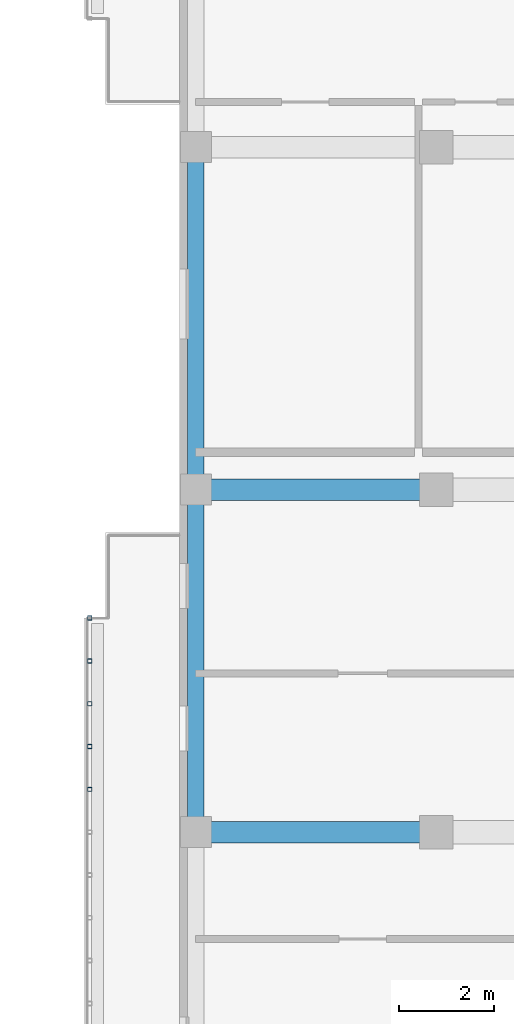
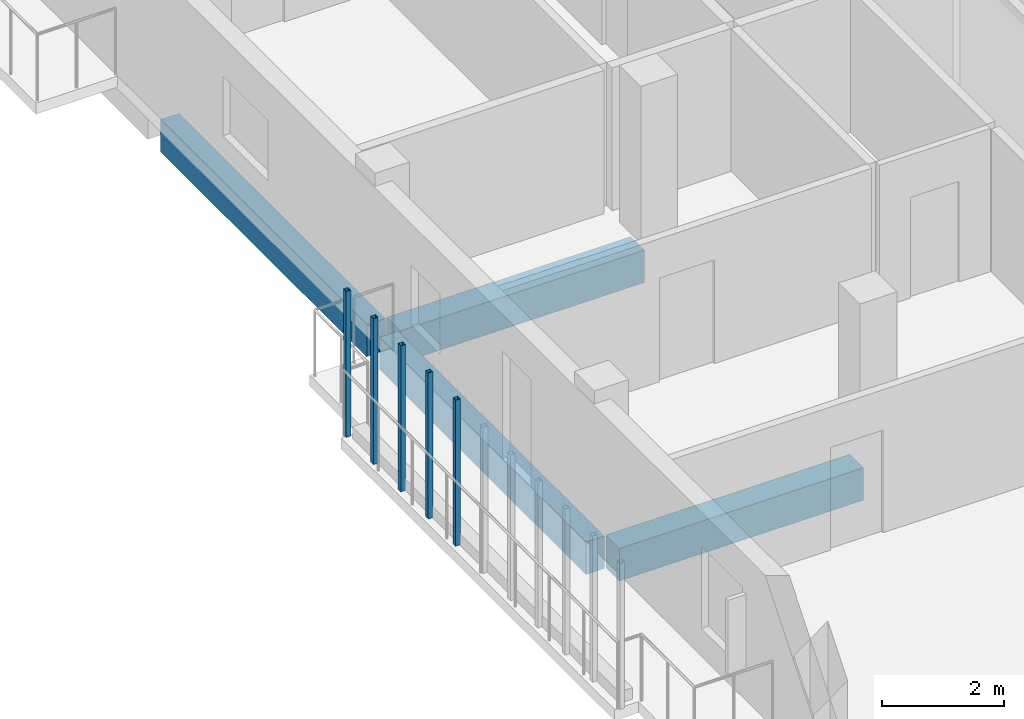
# One storey, part 17 of 51: 5 members, 4 beams.
"""IFC4 building model written with IfcOpenShell, lengths in metres."""

from ifc_helpers import new_model, si_unit, derived_unit, direction, frame, origin, origin_2d, place, context, subcontext, project, spatial, rectangle, hollow_rectangle, extrude, material, material_profile, profile_set, type_object, element, save


model = new_model("IFC4")

# Units and contexts
model_context = context("Model", 3, precision=1e-05, world=origin(), true_north=direction((0.0, 1.0)))
body_context = subcontext(model_context, "Body", "Model", "MODEL_VIEW")
ifc_project = project(units=[si_unit("LENGTHUNIT", "METRE"), si_unit("AREAUNIT", "SQUARE_METRE"), si_unit("VOLUMEUNIT", "CUBIC_METRE"), si_unit("PLANEANGLEUNIT", "RADIAN"), si_unit("MASSUNIT", "GRAM", prefix="KILO"), derived_unit("THERMALTRANSMITTANCEUNIT", [(si_unit("MASSUNIT", "GRAM", prefix="KILO"), 1), (si_unit("TIMEUNIT", "SECOND"), -3), (si_unit("THERMODYNAMICTEMPERATUREUNIT", "KELVIN"), -1)])], contexts=[model_context])

# Site, building, storey
site_placement = place(None, origin())
site = spatial("IfcSite", under=ifc_project, at=site_placement, CompositionType="ELEMENT")
building_placement = place(site_placement, origin())
building = spatial("IfcBuilding", under=site, at=building_placement, Name="Ochrekiln Boulevard Commons", CompositionType="ELEMENT")
storey_placement = place(building_placement, frame((0.0, 0.0, 15.22509765625)))
storey = spatial("IfcBuildingStorey", under=building, at=storey_placement, Name="L04", CompositionType="ELEMENT", Elevation=15.22509765625)

# Beams
ifc_material_1 = material(Name="Concrete C35/45", Category="concrete")
ifc_material_profile_1 = material_profile(ifc_material_1, rectangle(XDim=0.449951171875, YDim=0.64990234375, at=origin_2d()), Name="RC-BM-450x650")
ifc_profile_set_1 = profile_set([ifc_material_profile_1], Name="Concrete C35/45")
beam_type_1 = type_object("IfcBeamType", Name="BM-RC-450x650", PredefinedType="BEAM", material=ifc_profile_set_1)
for number, where, z_axis, x_axis, name in (
    (1, (151.760009765625, 82.800048828125, -0.585205078125), (1.0, 0.0, 0.0), (0.0, 1.0, 0.0), "Block B L04 Beam B-4565 X6"),
    (2, (151.760009765625, 90.0, -0.585205078125), (1.0, 0.0, 0.0), (0.0, 1.0, 0.0), "Block B L04 Beam B-4565 X9"),
):
    element("IfcBeam", number, at=place(storey_placement, frame(where, z_axis=z_axis, x_axis=x_axis)), inside=storey, type_object=beam_type_1, Name=name, PredefinedType="BEAM", context=body_context, shape_type="SweptSolid", body=[
        extrude(rectangle(XDim=0.449951171875, YDim=0.64990234375, at=origin_2d()), origin(), (0.0, 0.0, 1.0), 4.6298828125),
    ])

# Members
ifc_material_2 = material(Name="Steel A500 Grade C", Category="steel")
ifc_material_profile_2 = material_profile(ifc_material_2, hollow_rectangle(XDim=0.090087890625, YDim=0.090087890625, WallThickness=0.00634765625, at=origin_2d()), Name="HSS90X90X6.4")
ifc_profile_set_2 = profile_set([ifc_material_profile_2], Name="Steel A500 Grade C")
member_type = type_object("IfcMemberType", Name="MEM-PST-HSS90", PredefinedType="POST", material=ifc_profile_set_2)
for number, where, z_axis, x_axis, name in (
    (3, (149.320068359375, 83.699951171875, 0.0), (0.0, 0.0, 1.0), (1.0, 0.0, 0.0), "Block B L04 Slim Vertical Balcony Post (227)"),
    (4, (149.320068359375, 84.60009765625, 0.0), (0.0, 0.0, 1.0), (1.0, 0.0, 0.0), "Block B L04 Slim Vertical Balcony Post (228)"),
    (5, (149.320068359375, 85.5, 0.0), (0.0, 0.0, 1.0), (1.0, 0.0, 0.0), "Block B L04 Slim Vertical Balcony Post (229)"),
    (6, (149.320068359375, 86.39990234375, 0.0), (0.0, 0.0, 1.0), (1.0, 0.0, 0.0), "Block B L04 Slim Vertical Balcony Post (230)"),
    (7, (149.320068359375, 87.300048828125, 0.0), (0.0, 0.0, 1.0), (1.0, 0.0, 0.0), "Block B L04 Slim Vertical Balcony Post (231)"),
):
    element("IfcMember", number, at=place(storey_placement, frame(where, z_axis=z_axis, x_axis=x_axis)), inside=storey, type_object=member_type, Name=name, PredefinedType="POST", context=body_context, shape_type="SweptSolid", body=[
        extrude(hollow_rectangle(XDim=0.090087890625, YDim=0.090087890625, WallThickness=0.00634765625, at=origin_2d()), origin(), (0.0, 0.0, 1.0), 2.929931640625),
    ])

# Beams
ifc_material_3 = material(Name="Concrete C40/50", Category="concrete")
ifc_material_profile_3 = material_profile(ifc_material_3, rectangle(XDim=0.35009765625, YDim=0.64990234375, at=origin_2d()), Name="RC-SPN-350x650")
ifc_profile_set_3 = profile_set([ifc_material_profile_3], Name="Concrete C40/50")
beam_type_2 = type_object("IfcBeamType", Name="SPN-RC-350x650", PredefinedType="SPANDREL", material=ifc_profile_set_3)
for number, where, z_axis, x_axis, name in (
    (8, (151.550048828125, 83.010009765625, -0.585205078125), (0.0, 1.0, 0.0), (-1.0, 0.0, 0.0), "Block B L04 Beam SP-3565 Y25"),
    (9, (151.550048828125, 90.2099609375, -0.585205078125), (0.0, 1.0, 0.0), (-1.0, 0.0, 0.0), "Block B L04 Beam SP-3565 Y26"),
):
    element("IfcBeam", number, at=place(storey_placement, frame(where, z_axis=z_axis, x_axis=x_axis)), inside=storey, type_object=beam_type_2, Name=name, PredefinedType="SPANDREL", context=body_context, shape_type="SweptSolid", body=[
        extrude(rectangle(XDim=0.35009765625, YDim=0.64990234375, at=origin_2d()), origin(), (0.0, 0.0, 1.0), 6.780029296875),
    ])

save(model, "model.ifc")
